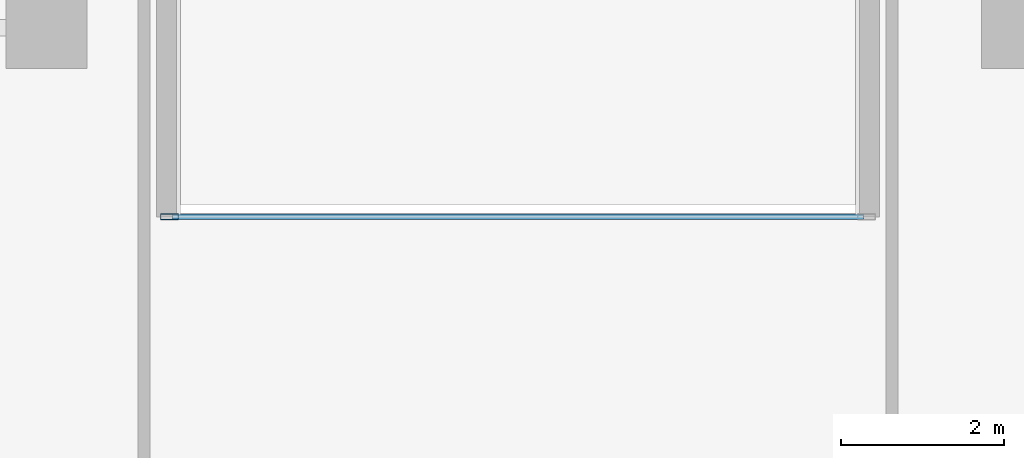
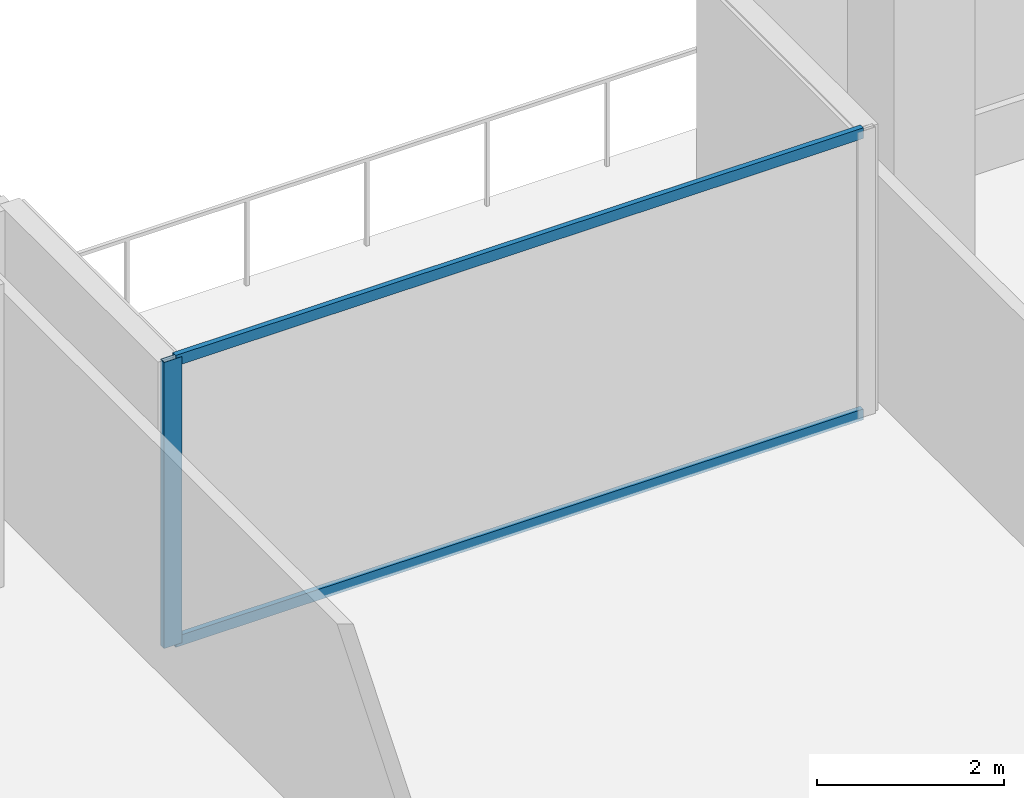
# One storey, part 12 of 38: 3 members, 1 element without a shape of its own.
"""IFC4 building model written with IfcOpenShell, lengths in metres."""

from ifc_helpers import new_model, si_unit, direction, frame, origin, origin_2d, place, context, subcontext, project, spatial, hollow_rectangle, extrude, material, layer, layer_set, material_profile, profile_set, type_object, element, aggregate, save


model = new_model("IFC4")

# Units and contexts
model_context = context("Model", 3, precision=1e-05, world=origin(), true_north=direction((0.0, 1.0)))
body_context = subcontext(model_context, "Body", "Model", "MODEL_VIEW")
ifc_project = project(units=[si_unit("LENGTHUNIT", "METRE"), si_unit("AREAUNIT", "SQUARE_METRE"), si_unit("VOLUMEUNIT", "CUBIC_METRE"), si_unit("PLANEANGLEUNIT", "RADIAN"), si_unit("MASSUNIT", "GRAM", prefix="KILO")], contexts=[model_context])

# Site, building, storey
site_placement = place(None, origin())
site = spatial("IfcSite", under=ifc_project, at=site_placement, CompositionType="ELEMENT")
building_placement = place(site_placement, origin())
building = spatial("IfcBuilding", under=site, at=building_placement, Name="Tanjung Sevakor Pilgrim Tower", CompositionType="ELEMENT")
storey_placement = place(building_placement, frame((0.0, 0.0, 78.2099609375)))
storey = spatial("IfcBuildingStorey", under=building, at=storey_placement, Name="L21", CompositionType="ELEMENT", Elevation=78.2099609375)

# Curtain wall, members
ifc_material_1 = material(Name="Aluminium 6063-T6 and Low-E Glass", Category="aluminium")
ifc_layer = layer(ifc_material_1, 0.179931640625)
ifc_layer_set = layer_set([ifc_layer], Name="CW-SYS-CLEFT")
curtain_wall_type = type_object("IfcCurtainWallType", Name="CW-SYS-CLEFT", PredefinedType="NOTDEFINED", material=ifc_layer_set)
curtain_wall_placement = place(storey_placement, origin())
curtain_wall = element("IfcCurtainWall", 1, at=curtain_wall_placement, inside=storey, type_object=curtain_wall_type, Name="L21 Curtain Wall CW-CLF-L21-10", PredefinedType="NOTDEFINED")
ifc_material_2 = material(Name="Aluminium 6063-T6", Category="aluminium")
ifc_material_profile_1 = material_profile(ifc_material_2, hollow_rectangle(XDim=0.074951171875, YDim=0.219970703125, WallThickness=0.0048828125, at=origin_2d()))
ifc_profile_set_1 = profile_set([ifc_material_profile_1], Name="Aluminium 6063-T6")
member_type_1 = type_object("IfcMemberType", Name="TYPE-CWM-2", PredefinedType="MULLION", material=ifc_profile_set_1)
member_1_placement = place(storey_placement, frame((43.512451171875, 54.074951171875, 0.0), z_axis=(0.0, 0.0, 1.0), x_axis=(0.0, -1.0, 0.0)))
member_1 = element("IfcMember", 2, at=member_1_placement, type_object=member_type_1, Name="CW-CLF mullion 2", PredefinedType="MULLION", context=body_context, shape_type="SweptSolid", body=[
    extrude(hollow_rectangle(XDim=0.074951171875, YDim=0.219970703125, WallThickness=0.0048828125, at=origin_2d()), origin(), (0.0, 0.0, 1.0), 3.739990234375),
])
ifc_material_3 = material(Name="Aluminium 6063-T6", Category="aluminium")
ifc_material_profile_2 = material_profile(ifc_material_3, hollow_rectangle(XDim=0.06494140625, YDim=0.139892578125, WallThickness=0.00390625, at=origin_2d()))
ifc_profile_set_2 = profile_set([ifc_material_profile_2], Name="Aluminium 6063-T6")
member_type_2 = type_object("IfcMemberType", Name="TYPE-CWT-1", PredefinedType="USERDEFINED", material=ifc_profile_set_2)
member_2_placement = place(storey_placement, frame((52.050048828125, 54.074951171875, 0.032470703125), z_axis=(-1.0, 0.0, 0.0), x_axis=(0.0, -1.0, 0.0)))
member_2 = element("IfcMember", 3, at=member_2_placement, type_object=member_type_2, Name="CW-CLF transom 1.1", ObjectType="TRANSOM", PredefinedType="USERDEFINED", context=body_context, shape_type="SweptSolid", body=[
    extrude(hollow_rectangle(XDim=0.06494140625, YDim=0.139892578125, WallThickness=0.00390625, at=origin_2d()), origin(), (0.0, 0.0, 1.0), 8.5),
])
member_3_placement = place(storey_placement, frame((52.050048828125, 54.074951171875, 3.70751953125), z_axis=(-1.0, 0.0, 0.0), x_axis=(0.0, -1.0, 0.0)))
member_3 = element("IfcMember", 4, at=member_3_placement, type_object=member_type_2, Name="CW-CLF transom 1.2", ObjectType="TRANSOM", PredefinedType="USERDEFINED", context=body_context, shape_type="SweptSolid", body=[
    extrude(hollow_rectangle(XDim=0.06494140625, YDim=0.139892578125, WallThickness=0.00390625, at=origin_2d()), origin(), (0.0, 0.0, 1.0), 8.5),
])
aggregate(curtain_wall, [member_1, member_2, member_3])

save(model, "model.ifc")
